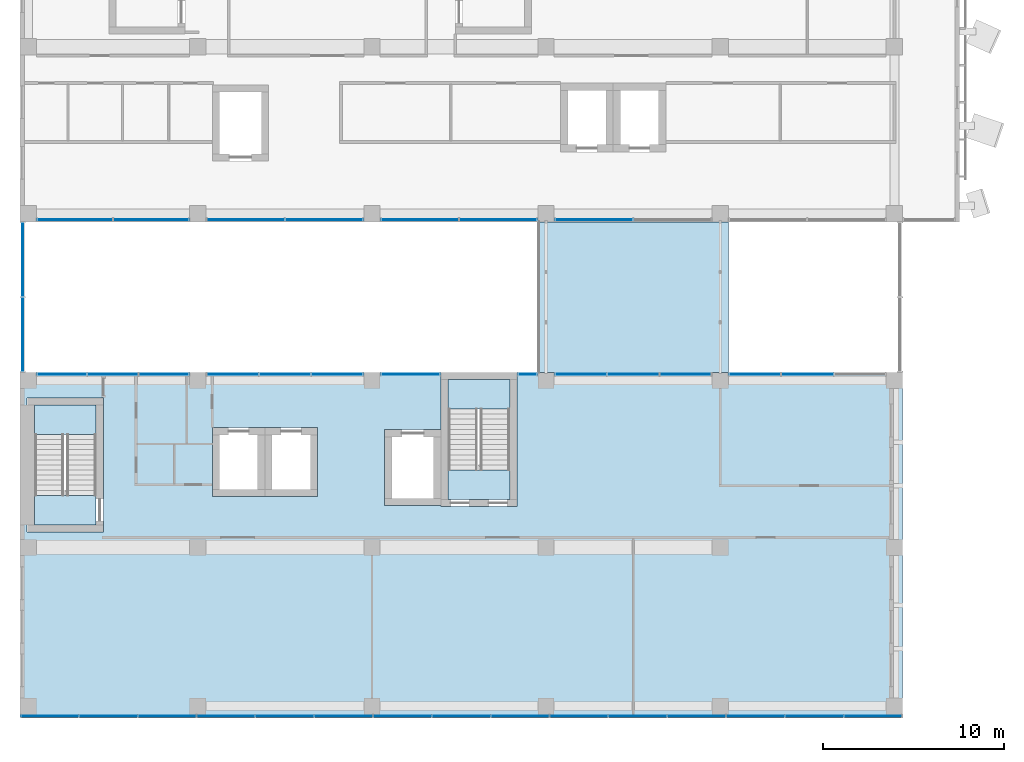
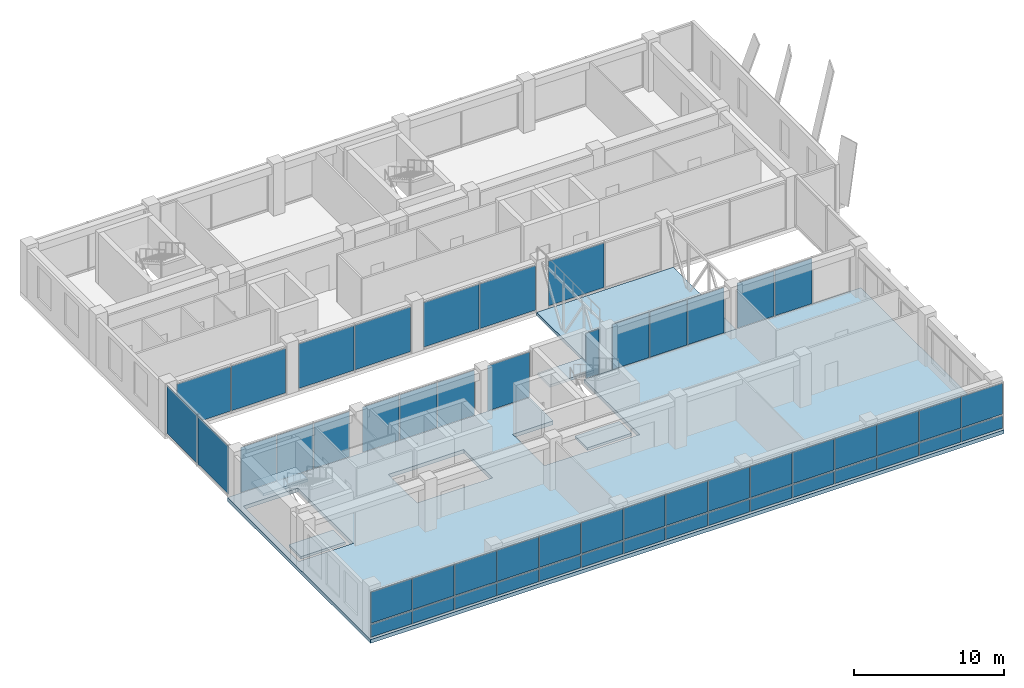
# One storey, part 27 of 38: 52 plates, 6 slabs, 14 elements without a shape of their own.
"""IFC4 building model written with IfcOpenShell, lengths in metres."""

from ifc_helpers import new_model, si_unit, direction, frame, origin, origin_2d, place, context, subcontext, project, spatial, polyline, rectangle, outline, extrude, material, layer, layer_set, type_object, element, aggregate, save


model = new_model("IFC4")

# Units and contexts
model_context = context("Model", 3, precision=1e-05, world=origin(), true_north=direction((0.0, 1.0)))
body_context = subcontext(model_context, "Body", "Model", "MODEL_VIEW")
ifc_project = project(units=[si_unit("LENGTHUNIT", "METRE"), si_unit("AREAUNIT", "SQUARE_METRE"), si_unit("VOLUMEUNIT", "CUBIC_METRE"), si_unit("PLANEANGLEUNIT", "RADIAN"), si_unit("MASSUNIT", "GRAM", prefix="KILO")], contexts=[model_context])

# Site, building, storey
site_placement = place(None, origin())
site = spatial("IfcSite", under=ifc_project, at=site_placement, CompositionType="ELEMENT")
building_placement = place(site_placement, origin())
building = spatial("IfcBuilding", under=site, at=building_placement, Name="Nzadi Deep Aquarium and Research Tower", CompositionType="ELEMENT")
storey_placement = place(building_placement, frame((0.0, 0.0, 65.5)))
storey = spatial("IfcBuildingStorey", under=building, at=storey_placement, Name="L13", CompositionType="ELEMENT", Elevation=65.5)

# Curtain wall, plates
ifc_material_1 = material(Name="Aluminium unitised frame", Category="aluminium")
ifc_layer_1 = layer(ifc_material_1, 0.199951171875)
ifc_layer_set_1 = layer_set([ifc_layer_1], Name="Aluminium unitised frame")
curtain_wall_type_1 = type_object("IfcCurtainWallType", Name="Curtain wall Unitised 200", PredefinedType="NOTDEFINED", material=ifc_layer_set_1)
curtain_wall_1_placement = place(storey_placement, origin())
curtain_wall_1 = element("IfcCurtainWall", 1, at=curtain_wall_1_placement, inside=storey, type_object=curtain_wall_type_1, Name="Unitised curtain wall blade A south L13", PredefinedType="NOTDEFINED")
ifc_material_2 = material(Name="Glass, sage tint", Category="glass")
ifc_layer_2 = layer(ifc_material_2, 0.035888671875)
ifc_layer_set_2 = layer_set([ifc_layer_2], Name="Glass, sage tint")
plate_type_1 = type_object("IfcPlateType", Name="Glazing panel 36 Unitised", PredefinedType="CURTAIN_PANEL", material=ifc_layer_set_2)
plate_1_placement = place(storey_placement, frame((1.436767578125, -0.10009765625, 1.260009765625), z_axis=(0.0, 0.0, 1.0), x_axis=(1.0, 0.0, 0.0)))
plate_1 = element("IfcPlate", 2, at=plate_1_placement, type_object=plate_type_1, Name="CW057 panel 1.2", PredefinedType="CURTAIN_PANEL", context=body_context, shape_type="SweptSolid", body=[
    extrude(rectangle(XDim=3.1533203125, YDim=0.035888671875, at=origin_2d()), origin(), (0.0, 0.0, 1.0), 2.52001953125),
])
plate_2_placement = place(storey_placement, frame((4.6650390625, -0.10009765625, 1.260009765625), z_axis=(0.0, 0.0, 1.0), x_axis=(1.0, 0.0, 0.0)))
plate_2 = element("IfcPlate", 3, at=plate_2_placement, type_object=plate_type_1, Name="CW057 panel 2.2", PredefinedType="CURTAIN_PANEL", context=body_context, shape_type="SweptSolid", body=[
    extrude(rectangle(XDim=3.183349609375, YDim=0.035888671875, at=origin_2d()), origin(), (0.0, 0.0, 1.0), 2.52001953125),
])
plate_3_placement = place(storey_placement, frame((7.908447265625, -0.10009765625, 1.260009765625), z_axis=(0.0, 0.0, 1.0), x_axis=(1.0, 0.0, 0.0)))
plate_3 = element("IfcPlate", 4, at=plate_3_placement, type_object=plate_type_1, Name="CW057 panel 3.2", PredefinedType="CURTAIN_PANEL", context=body_context, shape_type="SweptSolid", body=[
    extrude(rectangle(XDim=3.183349609375, YDim=0.035888671875, at=origin_2d()), origin(), (0.0, 0.0, 1.0), 2.52001953125),
])
plate_4_placement = place(storey_placement, frame((11.151611328125, -0.10009765625, 1.260009765625), z_axis=(0.0, 0.0, 1.0), x_axis=(1.0, 0.0, 0.0)))
plate_4 = element("IfcPlate", 5, at=plate_4_placement, type_object=plate_type_1, Name="CW057 panel 4.2", PredefinedType="CURTAIN_PANEL", context=body_context, shape_type="SweptSolid", body=[
    extrude(rectangle(XDim=3.183349609375, YDim=0.035888671875, at=origin_2d()), origin(), (0.0, 0.0, 1.0), 2.52001953125),
])
plate_5_placement = place(storey_placement, frame((14.39501953125, -0.10009765625, 1.260009765625), z_axis=(0.0, 0.0, 1.0), x_axis=(1.0, 0.0, 0.0)))
plate_5 = element("IfcPlate", 6, at=plate_5_placement, type_object=plate_type_1, Name="CW057 panel 5.2", PredefinedType="CURTAIN_PANEL", context=body_context, shape_type="SweptSolid", body=[
    extrude(rectangle(XDim=3.183349609375, YDim=0.035888671875, at=origin_2d()), origin(), (0.0, 0.0, 1.0), 2.52001953125),
])
plate_6_placement = place(storey_placement, frame((17.638427734375, -0.10009765625, 1.260009765625), z_axis=(0.0, 0.0, 1.0), x_axis=(1.0, 0.0, 0.0)))
plate_6 = element("IfcPlate", 7, at=plate_6_placement, type_object=plate_type_1, Name="CW057 panel 6.2", PredefinedType="CURTAIN_PANEL", context=body_context, shape_type="SweptSolid", body=[
    extrude(rectangle(XDim=3.183349609375, YDim=0.035888671875, at=origin_2d()), origin(), (0.0, 0.0, 1.0), 2.52001953125),
])
plate_7_placement = place(storey_placement, frame((20.881591796875, -0.10009765625, 1.260009765625), z_axis=(0.0, 0.0, 1.0), x_axis=(1.0, 0.0, 0.0)))
plate_7 = element("IfcPlate", 8, at=plate_7_placement, type_object=plate_type_1, Name="CW057 panel 7.2", PredefinedType="CURTAIN_PANEL", context=body_context, shape_type="SweptSolid", body=[
    extrude(rectangle(XDim=3.183349609375, YDim=0.035888671875, at=origin_2d()), origin(), (0.0, 0.0, 1.0), 2.52001953125),
])
plate_8_placement = place(storey_placement, frame((24.125, -0.10009765625, 1.260009765625), z_axis=(0.0, 0.0, 1.0), x_axis=(1.0, 0.0, 0.0)))
plate_8 = element("IfcPlate", 9, at=plate_8_placement, type_object=plate_type_1, Name="CW057 panel 8.2", PredefinedType="CURTAIN_PANEL", context=body_context, shape_type="SweptSolid", body=[
    extrude(rectangle(XDim=3.183349609375, YDim=0.035888671875, at=origin_2d()), origin(), (0.0, 0.0, 1.0), 2.52001953125),
])
plate_9_placement = place(storey_placement, frame((27.368408203125, -0.10009765625, 1.260009765625), z_axis=(0.0, 0.0, 1.0), x_axis=(1.0, 0.0, 0.0)))
plate_9 = element("IfcPlate", 10, at=plate_9_placement, type_object=plate_type_1, Name="CW057 panel 9.2", PredefinedType="CURTAIN_PANEL", context=body_context, shape_type="SweptSolid", body=[
    extrude(rectangle(XDim=3.183349609375, YDim=0.035888671875, at=origin_2d()), origin(), (0.0, 0.0, 1.0), 2.52001953125),
])
plate_10_placement = place(storey_placement, frame((30.611572265625, -0.10009765625, 1.260009765625), z_axis=(0.0, 0.0, 1.0), x_axis=(1.0, 0.0, 0.0)))
plate_10 = element("IfcPlate", 11, at=plate_10_placement, type_object=plate_type_1, Name="CW057 panel 10.2", PredefinedType="CURTAIN_PANEL", context=body_context, shape_type="SweptSolid", body=[
    extrude(rectangle(XDim=3.183349609375, YDim=0.035888671875, at=origin_2d()), origin(), (0.0, 0.0, 1.0), 2.52001953125),
])
plate_11_placement = place(storey_placement, frame((33.85498046875, -0.10009765625, 1.260009765625), z_axis=(0.0, 0.0, 1.0), x_axis=(1.0, 0.0, 0.0)))
plate_11 = element("IfcPlate", 12, at=plate_11_placement, type_object=plate_type_1, Name="CW057 panel 11.2", PredefinedType="CURTAIN_PANEL", context=body_context, shape_type="SweptSolid", body=[
    extrude(rectangle(XDim=3.183349609375, YDim=0.035888671875, at=origin_2d()), origin(), (0.0, 0.0, 1.0), 2.52001953125),
])
plate_12_placement = place(storey_placement, frame((37.098388671875, -0.10009765625, 1.260009765625), z_axis=(0.0, 0.0, 1.0), x_axis=(1.0, 0.0, 0.0)))
plate_12 = element("IfcPlate", 13, at=plate_12_placement, type_object=plate_type_1, Name="CW057 panel 12.2", PredefinedType="CURTAIN_PANEL", context=body_context, shape_type="SweptSolid", body=[
    extrude(rectangle(XDim=3.183349609375, YDim=0.035888671875, at=origin_2d()), origin(), (0.0, 0.0, 1.0), 2.52001953125),
])
plate_13_placement = place(storey_placement, frame((40.341552734375, -0.10009765625, 1.260009765625), z_axis=(0.0, 0.0, 1.0), x_axis=(1.0, 0.0, 0.0)))
plate_13 = element("IfcPlate", 14, at=plate_13_placement, type_object=plate_type_1, Name="CW057 panel 13.2", PredefinedType="CURTAIN_PANEL", context=body_context, shape_type="SweptSolid", body=[
    extrude(rectangle(XDim=3.183349609375, YDim=0.035888671875, at=origin_2d()), origin(), (0.0, 0.0, 1.0), 2.52001953125),
])
plate_14_placement = place(storey_placement, frame((43.5849609375, -0.10009765625, 1.260009765625), z_axis=(0.0, 0.0, 1.0), x_axis=(1.0, 0.0, 0.0)))
plate_14 = element("IfcPlate", 15, at=plate_14_placement, type_object=plate_type_1, Name="CW057 panel 14.2", PredefinedType="CURTAIN_PANEL", context=body_context, shape_type="SweptSolid", body=[
    extrude(rectangle(XDim=3.183349609375, YDim=0.035888671875, at=origin_2d()), origin(), (0.0, 0.0, 1.0), 2.52001953125),
])
plate_15_placement = place(storey_placement, frame((46.813232421875, -0.10009765625, 1.260009765625), z_axis=(0.0, 0.0, 1.0), x_axis=(1.0, 0.0, 0.0)))
plate_15 = element("IfcPlate", 16, at=plate_15_placement, type_object=plate_type_1, Name="CW057 panel 15.2", PredefinedType="CURTAIN_PANEL", context=body_context, shape_type="SweptSolid", body=[
    extrude(rectangle(XDim=3.1533203125, YDim=0.035888671875, at=origin_2d()), origin(), (0.0, 0.0, 1.0), 2.52001953125),
])

curtain_wall_2_placement = place(storey_placement, origin())
curtain_wall_2 = element("IfcCurtainWall", 17, at=curtain_wall_2_placement, inside=storey, type_object=curtain_wall_type_1, Name="Unitised curtain wall blade A north L13", PredefinedType="NOTDEFINED")
plate_16_placement = place(storey_placement, frame((2.123291015625, 18.75, 0.1201171875), z_axis=(0.0, 0.0, 1.0), x_axis=(1.0, 0.0, 0.0)))
plate_16 = element("IfcPlate", 18, at=plate_16_placement, type_object=plate_type_1, Name="CW058 panel 1.1", PredefinedType="CURTAIN_PANEL", context=body_context, shape_type="SweptSolid", body=[
    extrude(rectangle(XDim=2.7265625, YDim=0.035888671875, at=origin_2d()), origin(), (0.0, 0.0, 1.0), 3.659912109375),
])
plate_17_placement = place(storey_placement, frame((4.925048828125, 18.75, 0.1201171875), z_axis=(0.0, 0.0, 1.0), x_axis=(1.0, 0.0, 0.0)))
plate_17 = element("IfcPlate", 19, at=plate_17_placement, type_object=plate_type_1, Name="CW058 panel 2.1", PredefinedType="CURTAIN_PANEL", context=body_context, shape_type="SweptSolid", body=[
    extrude(rectangle(XDim=2.756591796875, YDim=0.035888671875, at=origin_2d()), origin(), (0.0, 0.0, 1.0), 3.659912109375),
])
plate_18_placement = place(storey_placement, frame((7.7265625, 18.75, 0.1201171875), z_axis=(0.0, 0.0, 1.0), x_axis=(1.0, 0.0, 0.0)))
plate_18 = element("IfcPlate", 20, at=plate_18_placement, type_object=plate_type_1, Name="CW058 panel 3.1", PredefinedType="CURTAIN_PANEL", context=body_context, shape_type="SweptSolid", body=[
    extrude(rectangle(XDim=2.7265625, YDim=0.035888671875, at=origin_2d()), origin(), (0.0, 0.0, 1.0), 3.659912109375),
])
aggregate(curtain_wall_2, [plate_16, plate_17, plate_18])

curtain_wall_3_placement = place(storey_placement, origin())
curtain_wall_3 = element("IfcCurtainWall", 21, at=curtain_wall_3_placement, inside=storey, type_object=curtain_wall_type_1, Name="Unitised curtain wall blade A north L13", PredefinedType="NOTDEFINED")
plate_19_placement = place(storey_placement, frame((11.514892578125, 18.75, 0.1201171875), z_axis=(0.0, 0.0, 1.0), x_axis=(1.0, 0.0, 0.0)))
plate_19 = element("IfcPlate", 22, at=plate_19_placement, type_object=plate_type_1, Name="CW059 panel 1.1", PredefinedType="CURTAIN_PANEL", context=body_context, shape_type="SweptSolid", body=[
    extrude(rectangle(XDim=2.81005859375, YDim=0.035888671875, at=origin_2d()), origin(), (0.0, 0.0, 1.0), 3.659912109375),
])
plate_20_placement = place(storey_placement, frame((14.39990234375, 18.75, 0.1201171875), z_axis=(0.0, 0.0, 1.0), x_axis=(1.0, 0.0, 0.0)))
plate_20 = element("IfcPlate", 23, at=plate_20_placement, type_object=plate_type_1, Name="CW059 panel 2.1", PredefinedType="CURTAIN_PANEL", context=body_context, shape_type="SweptSolid", body=[
    extrude(rectangle(XDim=2.840087890625, YDim=0.035888671875, at=origin_2d()), origin(), (0.0, 0.0, 1.0), 3.659912109375),
])
plate_21_placement = place(storey_placement, frame((17.284912109375, 18.75, 0.1201171875), z_axis=(0.0, 0.0, 1.0), x_axis=(1.0, 0.0, 0.0)))
plate_21 = element("IfcPlate", 24, at=plate_21_placement, type_object=plate_type_1, Name="CW059 panel 3.1", PredefinedType="CURTAIN_PANEL", context=body_context, shape_type="SweptSolid", body=[
    extrude(rectangle(XDim=2.81005859375, YDim=0.035888671875, at=origin_2d()), origin(), (0.0, 0.0, 1.0), 3.659912109375),
])
aggregate(curtain_wall_3, [plate_19, plate_20, plate_21])

# Curtain wall, plate
curtain_wall_4_placement = place(storey_placement, origin())
curtain_wall_4 = element("IfcCurtainWall", 25, at=curtain_wall_4_placement, inside=storey, type_object=curtain_wall_type_1, Name="Unitised curtain wall blade A north L13", PredefinedType="NOTDEFINED")
plate_22_placement = place(storey_placement, frame((21.324951171875, 18.75, 0.1201171875), z_axis=(0.0, 0.0, 1.0), x_axis=(1.0, 0.0, 0.0)))
plate_22 = element("IfcPlate", 26, at=plate_22_placement, type_object=plate_type_1, Name="CW060 panel 1.1", PredefinedType="CURTAIN_PANEL", context=body_context, shape_type="SweptSolid", body=[
    extrude(rectangle(XDim=3.22998046875, YDim=0.035888671875, at=origin_2d()), origin(), (0.0, 0.0, 1.0), 3.659912109375),
])
aggregate(curtain_wall_4, [plate_22])

curtain_wall_5_placement = place(storey_placement, origin())
curtain_wall_5 = element("IfcCurtainWall", 27, at=curtain_wall_5_placement, inside=storey, type_object=curtain_wall_type_1, Name="Unitised curtain wall blade A north L13", PredefinedType="NOTDEFINED")
plate_23_placement = place(storey_placement, frame((27.77490234375, 18.75, 0.1201171875), z_axis=(0.0, 0.0, 1.0), x_axis=(1.0, 0.0, 0.0)))
plate_23 = element("IfcPlate", 28, at=plate_23_placement, type_object=plate_type_1, Name="CW061 panel 1.1", PredefinedType="CURTAIN_PANEL", context=body_context, shape_type="SweptSolid", body=[
    extrude(rectangle(XDim=1.030029296875, YDim=0.035888671875, at=origin_2d()), origin(), (0.0, 0.0, 1.0), 3.659912109375),
])
aggregate(curtain_wall_5, [plate_23])

# Curtain wall, plates
curtain_wall_6_placement = place(storey_placement, origin())
curtain_wall_6 = element("IfcCurtainWall", 29, at=curtain_wall_6_placement, inside=storey, type_object=curtain_wall_type_1, Name="Unitised curtain wall blade A north L13", PredefinedType="NOTDEFINED")
plate_24_placement = place(storey_placement, frame((30.715087890625, 18.75, 0.1201171875), z_axis=(0.0, 0.0, 1.0), x_axis=(1.0, 0.0, 0.0)))
plate_24 = element("IfcPlate", 30, at=plate_24_placement, type_object=plate_type_1, Name="CW062 panel 1.1", PredefinedType="CURTAIN_PANEL", context=body_context, shape_type="SweptSolid", body=[
    extrude(rectangle(XDim=2.81005859375, YDim=0.035888671875, at=origin_2d()), origin(), (0.0, 0.0, 1.0), 3.659912109375),
])
plate_25_placement = place(storey_placement, frame((33.60009765625, 18.75, 0.1201171875), z_axis=(0.0, 0.0, 1.0), x_axis=(1.0, 0.0, 0.0)))
plate_25 = element("IfcPlate", 31, at=plate_25_placement, type_object=plate_type_1, Name="CW062 panel 2.1", PredefinedType="CURTAIN_PANEL", context=body_context, shape_type="SweptSolid", body=[
    extrude(rectangle(XDim=2.840087890625, YDim=0.035888671875, at=origin_2d()), origin(), (0.0, 0.0, 1.0), 3.659912109375),
])
plate_26_placement = place(storey_placement, frame((36.485107421875, 18.75, 0.1201171875), z_axis=(0.0, 0.0, 1.0), x_axis=(1.0, 0.0, 0.0)))
plate_26 = element("IfcPlate", 32, at=plate_26_placement, type_object=plate_type_1, Name="CW062 panel 3.1", PredefinedType="CURTAIN_PANEL", context=body_context, shape_type="SweptSolid", body=[
    extrude(rectangle(XDim=2.81005859375, YDim=0.035888671875, at=origin_2d()), origin(), (0.0, 0.0, 1.0), 3.659912109375),
])
aggregate(curtain_wall_6, [plate_24, plate_25, plate_26])

curtain_wall_7_placement = place(storey_placement, origin())
curtain_wall_7 = element("IfcCurtainWall", 33, at=curtain_wall_7_placement, inside=storey, type_object=curtain_wall_type_1, Name="Unitised curtain wall blade A north L13", PredefinedType="NOTDEFINED")
plate_27_placement = place(storey_placement, frame((40.31494140625, 18.75, 0.1201171875), z_axis=(0.0, 0.0, 1.0), x_axis=(1.0, 0.0, 0.0)))
plate_27 = element("IfcPlate", 34, at=plate_27_placement, type_object=plate_type_1, Name="CW063 panel 1.1", PredefinedType="CURTAIN_PANEL", context=body_context, shape_type="SweptSolid", body=[
    extrude(rectangle(XDim=2.81005859375, YDim=0.035888671875, at=origin_2d()), origin(), (0.0, 0.0, 1.0), 3.659912109375),
])
plate_28_placement = place(storey_placement, frame((43.199951171875, 18.75, 0.1201171875), z_axis=(0.0, 0.0, 1.0), x_axis=(1.0, 0.0, 0.0)))
plate_28 = element("IfcPlate", 35, at=plate_28_placement, type_object=plate_type_1, Name="CW063 panel 2.1", PredefinedType="CURTAIN_PANEL", context=body_context, shape_type="SweptSolid", body=[
    extrude(rectangle(XDim=2.840087890625, YDim=0.035888671875, at=origin_2d()), origin(), (0.0, 0.0, 1.0), 3.659912109375),
])
aggregate(curtain_wall_7, [plate_27, plate_28])

ifc_material_3 = material(Name="Aluminium unitised frame deep", Category="aluminium")
ifc_layer_3 = layer(ifc_material_3, 0.22509765625)
ifc_layer_set_3 = layer_set([ifc_layer_3], Name="Aluminium unitised frame deep")
curtain_wall_type_2 = type_object("IfcCurtainWallType", Name="Curtain wall Unitised Deep 225", PredefinedType="NOTDEFINED", material=ifc_layer_set_3)
curtain_wall_8_placement = place(storey_placement, origin())
curtain_wall_8 = element("IfcCurtainWall", 36, at=curtain_wall_8_placement, inside=storey, type_object=curtain_wall_type_2, Name="Unitised curtain wall blade B south L13", PredefinedType="NOTDEFINED")
ifc_material_4 = material(Name="Glass, sage tint", Category="glass")
ifc_layer_4 = layer(ifc_material_4, 0.0400390625)
ifc_layer_set_4 = layer_set([ifc_layer_4], Name="Glass, sage tint")
plate_type_2 = type_object("IfcPlateType", Name="Glazing panel 40 Unitised Deep", PredefinedType="CURTAIN_PANEL", material=ifc_layer_set_4)
plate_29_placement = place(storey_placement, frame((2.827392578125, 27.262451171875, 0.139892578125), z_axis=(0.0, 0.0, 1.0), x_axis=(1.0, 0.0, 0.0)))
plate_29 = element("IfcPlate", 37, at=plate_29_placement, type_object=plate_type_2, Name="CW164 panel 1.1", PredefinedType="CURTAIN_PANEL", context=body_context, shape_type="SweptSolid", body=[
    extrude(rectangle(XDim=4.135009765625, YDim=0.0400390625, at=origin_2d()), origin(), (0.0, 0.0, 1.0), 3.6201171875),
])
plate_30_placement = place(storey_placement, frame((7.0224609375, 27.262451171875, 0.139892578125), z_axis=(0.0, 0.0, 1.0), x_axis=(1.0, 0.0, 0.0)))
plate_30 = element("IfcPlate", 38, at=plate_30_placement, type_object=plate_type_2, Name="CW164 panel 2.1", PredefinedType="CURTAIN_PANEL", context=body_context, shape_type="SweptSolid", body=[
    extrude(rectangle(XDim=4.135009765625, YDim=0.0400390625, at=origin_2d()), origin(), (0.0, 0.0, 1.0), 3.6201171875),
])
aggregate(curtain_wall_8, [plate_29, plate_30])

curtain_wall_9_placement = place(storey_placement, origin())
curtain_wall_9 = element("IfcCurtainWall", 39, at=curtain_wall_9_placement, inside=storey, type_object=curtain_wall_type_2, Name="Unitised curtain wall blade B south L13", PredefinedType="NOTDEFINED")
plate_31_placement = place(storey_placement, frame((12.239990234375, 27.262451171875, 0.139892578125), z_axis=(0.0, 0.0, 1.0), x_axis=(1.0, 0.0, 0.0)))
plate_31 = element("IfcPlate", 40, at=plate_31_placement, type_object=plate_type_2, Name="CW165 panel 1.1", PredefinedType="CURTAIN_PANEL", context=body_context, shape_type="SweptSolid", body=[
    extrude(rectangle(XDim=4.260009765625, YDim=0.0400390625, at=origin_2d()), origin(), (0.0, 0.0, 1.0), 3.6201171875),
])
plate_32_placement = place(storey_placement, frame((16.56005859375, 27.262451171875, 0.139892578125), z_axis=(0.0, 0.0, 1.0), x_axis=(1.0, 0.0, 0.0)))
plate_32 = element("IfcPlate", 41, at=plate_32_placement, type_object=plate_type_2, Name="CW165 panel 2.1", PredefinedType="CURTAIN_PANEL", context=body_context, shape_type="SweptSolid", body=[
    extrude(rectangle(XDim=4.260009765625, YDim=0.0400390625, at=origin_2d()), origin(), (0.0, 0.0, 1.0), 3.6201171875),
])
aggregate(curtain_wall_9, [plate_31, plate_32])

curtain_wall_10_placement = place(storey_placement, origin())
curtain_wall_10 = element("IfcCurtainWall", 42, at=curtain_wall_10_placement, inside=storey, type_object=curtain_wall_type_2, Name="Unitised curtain wall blade B south L13", PredefinedType="NOTDEFINED")
plate_33_placement = place(storey_placement, frame((21.840087890625, 27.262451171875, 0.139892578125), z_axis=(0.0, 0.0, 1.0), x_axis=(1.0, 0.0, 0.0)))
plate_33 = element("IfcPlate", 43, at=plate_33_placement, type_object=plate_type_2, Name="CW166 panel 1.1", PredefinedType="CURTAIN_PANEL", context=body_context, shape_type="SweptSolid", body=[
    extrude(rectangle(XDim=4.260009765625, YDim=0.0400390625, at=origin_2d()), origin(), (0.0, 0.0, 1.0), 3.6201171875),
])
plate_34_placement = place(storey_placement, frame((26.159912109375, 27.262451171875, 0.139892578125), z_axis=(0.0, 0.0, 1.0), x_axis=(1.0, 0.0, 0.0)))
plate_34 = element("IfcPlate", 44, at=plate_34_placement, type_object=plate_type_2, Name="CW166 panel 2.1", PredefinedType="CURTAIN_PANEL", context=body_context, shape_type="SweptSolid", body=[
    extrude(rectangle(XDim=4.260009765625, YDim=0.0400390625, at=origin_2d()), origin(), (0.0, 0.0, 1.0), 3.6201171875),
])
aggregate(curtain_wall_10, [plate_33, plate_34])

# Curtain wall, plate
curtain_wall_11_placement = place(storey_placement, origin())
curtain_wall_11 = element("IfcCurtainWall", 45, at=curtain_wall_11_placement, inside=storey, type_object=curtain_wall_type_2, Name="Unitised curtain wall blade B south L13", PredefinedType="NOTDEFINED")
plate_35_placement = place(storey_placement, frame((31.43994140625, 27.262451171875, 0.139892578125), z_axis=(0.0, 0.0, 1.0), x_axis=(1.0, 0.0, 0.0)))
plate_35 = element("IfcPlate", 46, at=plate_35_placement, type_object=plate_type_2, Name="CW167 panel 1.1", PredefinedType="CURTAIN_PANEL", context=body_context, shape_type="SweptSolid", body=[
    extrude(rectangle(XDim=4.260009765625, YDim=0.0400390625, at=origin_2d()), origin(), (0.0, 0.0, 1.0), 3.6201171875),
])
aggregate(curtain_wall_11, [plate_35])

# Curtain wall, plates
ifc_material_5 = material(Name="Aluminium unitised frame wind post", Category="aluminium")
ifc_layer_5 = layer(ifc_material_5, 0.300048828125)
ifc_layer_set_5 = layer_set([ifc_layer_5], Name="Aluminium unitised frame wind post")
curtain_wall_type_3 = type_object("IfcCurtainWallType", Name="Curtain wall Slot End 300", PredefinedType="NOTDEFINED", material=ifc_layer_set_5)
curtain_wall_12_placement = place(storey_placement, origin())
curtain_wall_12 = element("IfcCurtainWall", 47, at=curtain_wall_12_placement, inside=storey, type_object=curtain_wall_type_3, Name="Glazed slot end west L13", PredefinedType="NOTDEFINED")
ifc_material_6 = material(Name="Glass, sage tint", Category="glass")
ifc_layer_6 = layer(ifc_material_6, 0.0439453125)
ifc_layer_set_6 = layer_set([ifc_layer_6], Name="Glass, sage tint")
plate_type_3 = type_object("IfcPlateType", Name="Glazing panel 44 Slot End", PredefinedType="CURTAIN_PANEL", material=ifc_layer_set_6)
plate_36_placement = place(storey_placement, frame((-0.050048828125, 20.93994140625, 0.16015625), z_axis=(0.0, 0.0, 1.0), x_axis=(0.0, 1.0, 0.0)))
plate_36 = element("IfcPlate", 48, at=plate_36_placement, type_object=plate_type_3, Name="CW217 panel 1.1", PredefinedType="CURTAIN_PANEL", context=body_context, shape_type="SweptSolid", body=[
    extrude(rectangle(XDim=4.06005859375, YDim=0.0439453125, at=origin_2d()), origin(), (0.0, 0.0, 1.0), 3.8798828125),
])
plate_37_placement = place(storey_placement, frame((-0.050048828125, 25.06005859375, 0.16015625), z_axis=(0.0, 0.0, 1.0), x_axis=(0.0, 1.0, 0.0)))
plate_37 = element("IfcPlate", 49, at=plate_37_placement, type_object=plate_type_3, Name="CW217 panel 2.1", PredefinedType="CURTAIN_PANEL", context=body_context, shape_type="SweptSolid", body=[
    extrude(rectangle(XDim=4.06005859375, YDim=0.0439453125, at=origin_2d()), origin(), (0.0, 0.0, 1.0), 3.8798828125),
])
aggregate(curtain_wall_12, [plate_36, plate_37])

# Stair, slabs
ifc_material_7 = material(Name="Concrete C35/45", Category="concrete")
stair_type = type_object("IfcStairType", Name="STAIR RETURN 3000", PredefinedType="NOTDEFINED", material=ifc_material_7)
stair_1_placement = place(storey_placement, origin())
stair_1 = element("IfcStair", 50, at=stair_1_placement, inside=storey, type_object=stair_type, Name="Stair ST-Z1-SW L13", PredefinedType="HALF_TURN_STAIR")
ifc_material_8 = material(Name="Concrete C35/45", Category="concrete")
ifc_layer_7 = layer(ifc_material_8, 0.199951171875)
ifc_layer_set_7 = layer_set([ifc_layer_7], Name="Concrete C35/45")
slab_type_1 = type_object("IfcSlabType", Name="LANDING 200", PredefinedType="LANDING", material=ifc_layer_set_7)
slab_1_placement = place(storey_placement, frame((0.0, 0.0, -0.199951171875)))
slab_1 = element("IfcSlab", 51, at=slab_1_placement, type_object=slab_type_1, Name="ST-Z1-SW landing 1", PredefinedType="LANDING", context=body_context, shape_type="SweptSolid", body=[
    extrude(outline(polyline([(0.60009765625, 10.449951171875), (4.0, 10.449951171875), (4.0, 12.070068359375), (0.60009765625, 12.070068359375), (0.60009765625, 10.449951171875)])), origin(), (0.0, 0.0, 1.0), 0.199951171875),
])
slab_2_placement = place(storey_placement, frame((0.0, 0.0, 1.89990234375)))
slab_2 = element("IfcSlab", 52, at=slab_2_placement, type_object=slab_type_1, Name="ST-Z1-SW landing 2", PredefinedType="LANDING", context=body_context, shape_type="SweptSolid", body=[
    extrude(outline(polyline([(0.60009765625, 15.429931640625), (4.0, 15.429931640625), (4.0, 17.050048828125), (0.60009765625, 17.050048828125), (0.60009765625, 15.429931640625)])), origin(), (0.0, 0.0, 1.0), 0.2001953125),
])
aggregate(stair_1, [slab_1, slab_2])

stair_2_placement = place(storey_placement, origin())
stair_2 = element("IfcStair", 53, at=stair_2_placement, inside=storey, type_object=stair_type, Name="Stair ST-Z1-SE L13", PredefinedType="HALF_TURN_STAIR")
slab_3_placement = place(storey_placement, frame((0.0, 0.0, -0.199951171875)))
slab_3 = element("IfcSlab", 54, at=slab_3_placement, type_object=slab_type_1, Name="ST-Z1-SE landing 1", PredefinedType="LANDING", context=body_context, shape_type="SweptSolid", body=[
    extrude(outline(polyline([(23.39990234375, 11.85009765625), (26.800048828125, 11.85009765625), (26.800048828125, 13.469970703125), (23.39990234375, 13.469970703125), (23.39990234375, 11.85009765625)])), origin(), (0.0, 0.0, 1.0), 0.199951171875),
])
slab_4_placement = place(storey_placement, frame((0.0, 0.0, 1.89990234375)))
slab_4 = element("IfcSlab", 55, at=slab_4_placement, type_object=slab_type_1, Name="ST-Z1-SE landing 2", PredefinedType="LANDING", context=body_context, shape_type="SweptSolid", body=[
    extrude(outline(polyline([(23.39990234375, 16.830078125), (26.800048828125, 16.830078125), (26.800048828125, 18.449951171875), (23.39990234375, 18.449951171875), (23.39990234375, 16.830078125)])), origin(), (0.0, 0.0, 1.0), 0.2001953125),
])
aggregate(stair_2, [slab_3, slab_4])

# Slabs
ifc_material_9 = material(Name="Concrete C35/45", Category="concrete")
ifc_layer_8 = layer(ifc_material_9, 0.25)
ifc_layer_set_8 = layer_set([ifc_layer_8], Name="Concrete C35/45")
slab_type_2 = type_object("IfcSlabType", Name="RC floor slab 250", PredefinedType="FLOOR", material=ifc_layer_set_8)
slab_5_placement = place(storey_placement, frame((0.0, 0.0, -0.25)))
element("IfcSlab", 56, at=slab_5_placement, inside=storey, type_object=slab_type_2, Name="Bridge deck L13", PredefinedType="FLOOR", context=body_context, shape_type="SweptSolid", body=[
    extrude(outline(polyline([(38.85009765625, 18.85009765625), (38.85009765625, 27.14990234375), (28.35009765625, 27.14990234375), (28.35009765625, 18.85009765625), (38.85009765625, 18.85009765625)])), origin(), (0.0, 0.0, 1.0), 0.25),
])
ifc_material_10 = material(Name="Concrete C35/45", Category="concrete")
ifc_layer_9 = layer(ifc_material_10, 0.300048828125)
ifc_layer_set_9 = layer_set([ifc_layer_9], Name="Concrete C35/45")
slab_type_3 = type_object("IfcSlabType", Name="RC floor slab 300", PredefinedType="FLOOR", material=ifc_layer_set_9)
slab_6_placement = place(storey_placement, frame((0.0, 0.0, -0.300048828125)))
element("IfcSlab", 57, at=slab_6_placement, inside=storey, type_object=slab_type_3, Name="Tower floor A L13", PredefinedType="FLOOR", context=body_context, shape_type="SweptSolid", body=[
    extrude(outline(polyline([(27.199951171875, 11.449951171875), (23.0, 11.449951171875), (23.0, 11.5), (19.89990234375, 11.5), (19.89990234375, 15.699951171875), (23.0, 15.699951171875), (23.0, 18.85009765625), (-0.199462890625, 18.85009765625), (-0.199462890625, -0.199951171875), (48.449951171875, -0.199951171875), (48.449951171875, 18.85009765625), (27.199951171875, 18.85009765625), (27.199951171875, 11.449951171875)]), holes=[polyline([(4.39990234375, 17.449951171875), (4.39990234375, 10.050048828125), (0.199951171875, 10.050048828125), (0.199951171875, 17.449951171875), (4.39990234375, 17.449951171875)]), polyline([(10.39990234375, 12.0), (10.39990234375, 15.800048828125), (13.300048828125, 15.800048828125), (16.199951171875, 15.800048828125), (16.199951171875, 12.0), (13.300048828125, 12.0), (10.39990234375, 12.0)])]), origin(), (0.0, 0.0, 1.0), 0.300048828125),
])

# Plate
ifc_material_11 = material(Name="Glass spandrel, enamelled", Category="glass")
ifc_layer_10 = layer(ifc_material_11, 0.035888671875)
ifc_layer_set_10 = layer_set([ifc_layer_10], Name="Glass spandrel, enamelled")
plate_type_4 = type_object("IfcPlateType", Name="Spandrel panel 36 Unitised", PredefinedType="CURTAIN_PANEL", material=ifc_layer_set_10)
plate_38_placement = place(storey_placement, frame((1.436767578125, -0.10009765625, 0.119873046875), z_axis=(0.0, 0.0, 1.0), x_axis=(1.0, 0.0, 0.0)))
plate_38 = element("IfcPlate", 58, at=plate_38_placement, type_object=plate_type_4, Name="CW057 panel 1.1", PredefinedType="CURTAIN_PANEL", context=body_context, shape_type="SweptSolid", body=[
    extrude(rectangle(XDim=3.1533203125, YDim=0.035888671875, at=origin_2d()), origin(), (0.0, 0.0, 1.0), 1.02001953125),
])

plate_39_placement = place(storey_placement, frame((4.6650390625, -0.10009765625, 0.119873046875), z_axis=(0.0, 0.0, 1.0), x_axis=(1.0, 0.0, 0.0)))
plate_39 = element("IfcPlate", 59, at=plate_39_placement, type_object=plate_type_4, Name="CW057 panel 2.1", PredefinedType="CURTAIN_PANEL", context=body_context, shape_type="SweptSolid", body=[
    extrude(rectangle(XDim=3.183349609375, YDim=0.035888671875, at=origin_2d()), origin(), (0.0, 0.0, 1.0), 1.02001953125),
])

plate_40_placement = place(storey_placement, frame((7.908447265625, -0.10009765625, 0.119873046875), z_axis=(0.0, 0.0, 1.0), x_axis=(1.0, 0.0, 0.0)))
plate_40 = element("IfcPlate", 60, at=plate_40_placement, type_object=plate_type_4, Name="CW057 panel 3.1", PredefinedType="CURTAIN_PANEL", context=body_context, shape_type="SweptSolid", body=[
    extrude(rectangle(XDim=3.183349609375, YDim=0.035888671875, at=origin_2d()), origin(), (0.0, 0.0, 1.0), 1.02001953125),
])

plate_41_placement = place(storey_placement, frame((11.151611328125, -0.10009765625, 0.119873046875), z_axis=(0.0, 0.0, 1.0), x_axis=(1.0, 0.0, 0.0)))
plate_41 = element("IfcPlate", 61, at=plate_41_placement, type_object=plate_type_4, Name="CW057 panel 4.1", PredefinedType="CURTAIN_PANEL", context=body_context, shape_type="SweptSolid", body=[
    extrude(rectangle(XDim=3.183349609375, YDim=0.035888671875, at=origin_2d()), origin(), (0.0, 0.0, 1.0), 1.02001953125),
])

plate_42_placement = place(storey_placement, frame((14.39501953125, -0.10009765625, 0.119873046875), z_axis=(0.0, 0.0, 1.0), x_axis=(1.0, 0.0, 0.0)))
plate_42 = element("IfcPlate", 62, at=plate_42_placement, type_object=plate_type_4, Name="CW057 panel 5.1", PredefinedType="CURTAIN_PANEL", context=body_context, shape_type="SweptSolid", body=[
    extrude(rectangle(XDim=3.183349609375, YDim=0.035888671875, at=origin_2d()), origin(), (0.0, 0.0, 1.0), 1.02001953125),
])

plate_43_placement = place(storey_placement, frame((17.638427734375, -0.10009765625, 0.119873046875), z_axis=(0.0, 0.0, 1.0), x_axis=(1.0, 0.0, 0.0)))
plate_43 = element("IfcPlate", 63, at=plate_43_placement, type_object=plate_type_4, Name="CW057 panel 6.1", PredefinedType="CURTAIN_PANEL", context=body_context, shape_type="SweptSolid", body=[
    extrude(rectangle(XDim=3.183349609375, YDim=0.035888671875, at=origin_2d()), origin(), (0.0, 0.0, 1.0), 1.02001953125),
])

plate_44_placement = place(storey_placement, frame((20.881591796875, -0.10009765625, 0.119873046875), z_axis=(0.0, 0.0, 1.0), x_axis=(1.0, 0.0, 0.0)))
plate_44 = element("IfcPlate", 64, at=plate_44_placement, type_object=plate_type_4, Name="CW057 panel 7.1", PredefinedType="CURTAIN_PANEL", context=body_context, shape_type="SweptSolid", body=[
    extrude(rectangle(XDim=3.183349609375, YDim=0.035888671875, at=origin_2d()), origin(), (0.0, 0.0, 1.0), 1.02001953125),
])

plate_45_placement = place(storey_placement, frame((24.125, -0.10009765625, 0.119873046875), z_axis=(0.0, 0.0, 1.0), x_axis=(1.0, 0.0, 0.0)))
plate_45 = element("IfcPlate", 65, at=plate_45_placement, type_object=plate_type_4, Name="CW057 panel 8.1", PredefinedType="CURTAIN_PANEL", context=body_context, shape_type="SweptSolid", body=[
    extrude(rectangle(XDim=3.183349609375, YDim=0.035888671875, at=origin_2d()), origin(), (0.0, 0.0, 1.0), 1.02001953125),
])

plate_46_placement = place(storey_placement, frame((27.368408203125, -0.10009765625, 0.119873046875), z_axis=(0.0, 0.0, 1.0), x_axis=(1.0, 0.0, 0.0)))
plate_46 = element("IfcPlate", 66, at=plate_46_placement, type_object=plate_type_4, Name="CW057 panel 9.1", PredefinedType="CURTAIN_PANEL", context=body_context, shape_type="SweptSolid", body=[
    extrude(rectangle(XDim=3.183349609375, YDim=0.035888671875, at=origin_2d()), origin(), (0.0, 0.0, 1.0), 1.02001953125),
])

plate_47_placement = place(storey_placement, frame((30.611572265625, -0.10009765625, 0.119873046875), z_axis=(0.0, 0.0, 1.0), x_axis=(1.0, 0.0, 0.0)))
plate_47 = element("IfcPlate", 67, at=plate_47_placement, type_object=plate_type_4, Name="CW057 panel 10.1", PredefinedType="CURTAIN_PANEL", context=body_context, shape_type="SweptSolid", body=[
    extrude(rectangle(XDim=3.183349609375, YDim=0.035888671875, at=origin_2d()), origin(), (0.0, 0.0, 1.0), 1.02001953125),
])

plate_48_placement = place(storey_placement, frame((33.85498046875, -0.10009765625, 0.119873046875), z_axis=(0.0, 0.0, 1.0), x_axis=(1.0, 0.0, 0.0)))
plate_48 = element("IfcPlate", 68, at=plate_48_placement, type_object=plate_type_4, Name="CW057 panel 11.1", PredefinedType="CURTAIN_PANEL", context=body_context, shape_type="SweptSolid", body=[
    extrude(rectangle(XDim=3.183349609375, YDim=0.035888671875, at=origin_2d()), origin(), (0.0, 0.0, 1.0), 1.02001953125),
])

plate_49_placement = place(storey_placement, frame((37.098388671875, -0.10009765625, 0.119873046875), z_axis=(0.0, 0.0, 1.0), x_axis=(1.0, 0.0, 0.0)))
plate_49 = element("IfcPlate", 69, at=plate_49_placement, type_object=plate_type_4, Name="CW057 panel 12.1", PredefinedType="CURTAIN_PANEL", context=body_context, shape_type="SweptSolid", body=[
    extrude(rectangle(XDim=3.183349609375, YDim=0.035888671875, at=origin_2d()), origin(), (0.0, 0.0, 1.0), 1.02001953125),
])

plate_50_placement = place(storey_placement, frame((40.341552734375, -0.10009765625, 0.119873046875), z_axis=(0.0, 0.0, 1.0), x_axis=(1.0, 0.0, 0.0)))
plate_50 = element("IfcPlate", 70, at=plate_50_placement, type_object=plate_type_4, Name="CW057 panel 13.1", PredefinedType="CURTAIN_PANEL", context=body_context, shape_type="SweptSolid", body=[
    extrude(rectangle(XDim=3.183349609375, YDim=0.035888671875, at=origin_2d()), origin(), (0.0, 0.0, 1.0), 1.02001953125),
])

plate_51_placement = place(storey_placement, frame((43.5849609375, -0.10009765625, 0.119873046875), z_axis=(0.0, 0.0, 1.0), x_axis=(1.0, 0.0, 0.0)))
plate_51 = element("IfcPlate", 71, at=plate_51_placement, type_object=plate_type_4, Name="CW057 panel 14.1", PredefinedType="CURTAIN_PANEL", context=body_context, shape_type="SweptSolid", body=[
    extrude(rectangle(XDim=3.183349609375, YDim=0.035888671875, at=origin_2d()), origin(), (0.0, 0.0, 1.0), 1.02001953125),
])

plate_52_placement = place(storey_placement, frame((46.813232421875, -0.10009765625, 0.119873046875), z_axis=(0.0, 0.0, 1.0), x_axis=(1.0, 0.0, 0.0)))
plate_52 = element("IfcPlate", 72, at=plate_52_placement, type_object=plate_type_4, Name="CW057 panel 15.1", PredefinedType="CURTAIN_PANEL", context=body_context, shape_type="SweptSolid", body=[
    extrude(rectangle(XDim=3.1533203125, YDim=0.035888671875, at=origin_2d()), origin(), (0.0, 0.0, 1.0), 1.02001953125),
])

aggregate(curtain_wall_1, [plate_38, plate_1, plate_39, plate_2, plate_40, plate_3, plate_41, plate_4, plate_42, plate_5, plate_43, plate_6, plate_44, plate_7, plate_45, plate_8, plate_46, plate_9, plate_47, plate_10, plate_48, plate_11, plate_49, plate_12, plate_50, plate_13, plate_51, plate_14, plate_52, plate_15])

save(model, "model.ifc")
